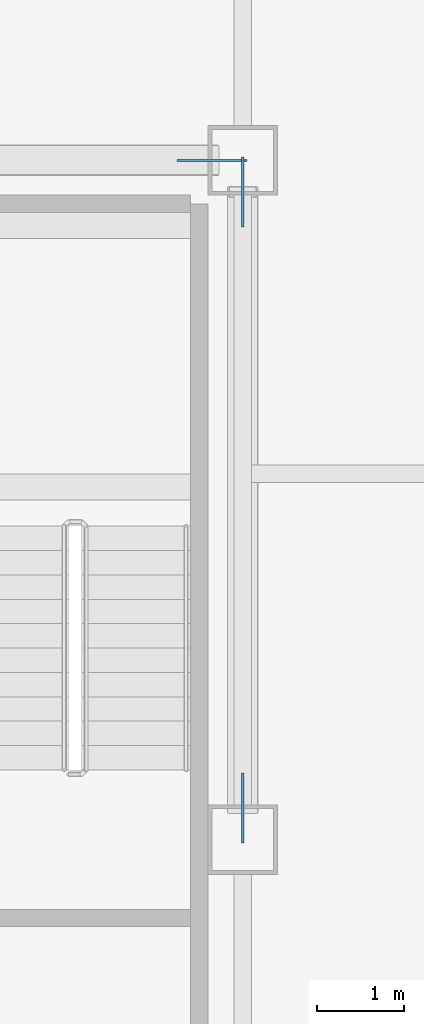
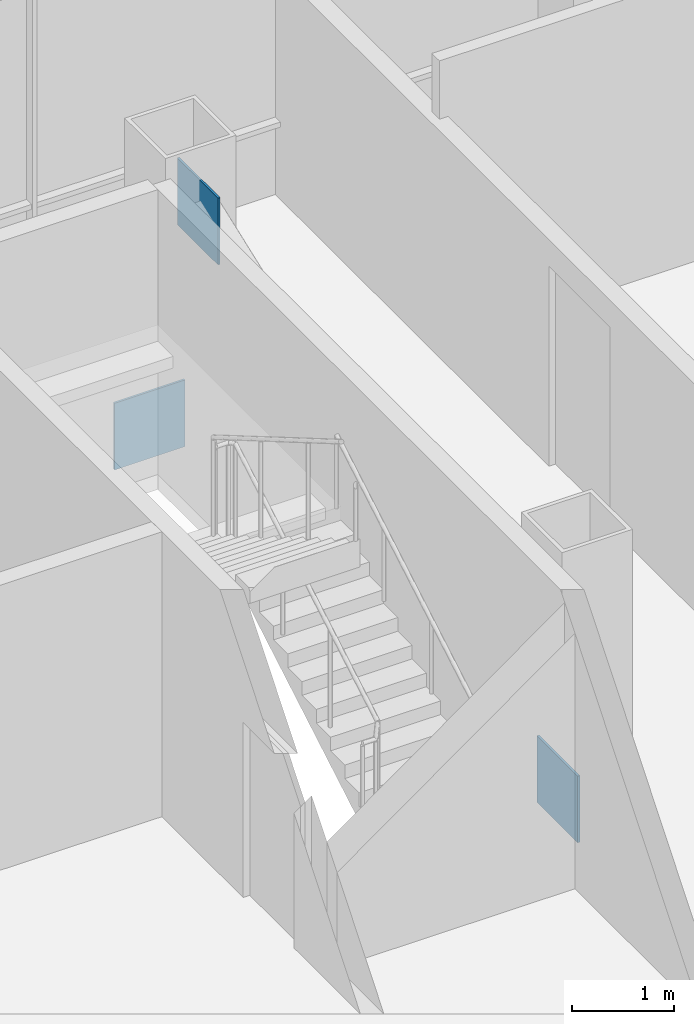
# One storey, part 24 of 26: 3 discrete accessories.
"""IFC4 building model written with IfcOpenShell, lengths in metres."""

from ifc_helpers import new_model, si_unit, direction, frame, origin, origin_2d, place, context, subcontext, project, spatial, rectangle, extrude, material, layer, layer_set, type_object, element, save


model = new_model("IFC4")

# Units and contexts
model_context = context("Model", 3, precision=1e-05, world=origin(), true_north=direction((0.0, 1.0)))
body_context = subcontext(model_context, "Body", "Model", "MODEL_VIEW")
ifc_project = project(units=[si_unit("LENGTHUNIT", "METRE"), si_unit("AREAUNIT", "SQUARE_METRE"), si_unit("VOLUMEUNIT", "CUBIC_METRE"), si_unit("PLANEANGLEUNIT", "RADIAN"), si_unit("MASSUNIT", "GRAM", prefix="KILO")], contexts=[model_context])

# Site, building, storey
site_placement = place(None, origin())
site = spatial("IfcSite", under=ifc_project, at=site_placement, CompositionType="ELEMENT")
building_placement = place(site_placement, origin())
building = spatial("IfcBuilding", under=site, at=building_placement, Name="Sorahane Residences", CompositionType="ELEMENT")
storey_placement = place(building_placement, frame((0.0, 0.0, 147.39990234375)))
storey = spatial("IfcBuildingStorey", under=building, at=storey_placement, Name="L33", CompositionType="ELEMENT", Elevation=147.39990234375)

# Discrete accessories
ifc_material = material(Name="Steel Q355B", Category="steel")
ifc_layer = layer(ifc_material, 0.02490234375)
ifc_layer_set = layer_set([ifc_layer], Name="Node plate Steel Q355B 25")
discrete_accessory_type = type_object("IfcDiscreteAccessoryType", Name="Node plate Steel Q355B 25", PredefinedType="BRACKET", material=ifc_layer_set)
for number, where, z_axis, x_axis, name in (
    (1, (42.0, 38.1630859375, -0.23876953125), (0.0, 0.0, 1.0), (0.0, 1.0, 0.0), "Node plate L33 br"),
    (2, (42.0, 45.23681640625, 2.40869140625), (0.0, 0.0, 1.0), (0.0, 1.0, 0.0), "Node plate L33 br"),
    (3, (41.647216796875, 45.60009765625, -0.24853515625), (0.0, 0.0, 1.0), (1.0, 0.0, 0.0), "Node plate L33 br"),
):
    element("IfcDiscreteAccessory", number, at=place(storey_placement, frame(where, z_axis=z_axis, x_axis=x_axis)), inside=storey, type_object=discrete_accessory_type, Name=name, PredefinedType="BRACKET", context=body_context, shape_type="SweptSolid", body=[
        extrude(rectangle(XDim=0.800048828125, YDim=0.02490234375, at=origin_2d()), origin(), (0.0, 0.0, 1.0), 0.800048828125),
    ])

save(model, "model.ifc")
